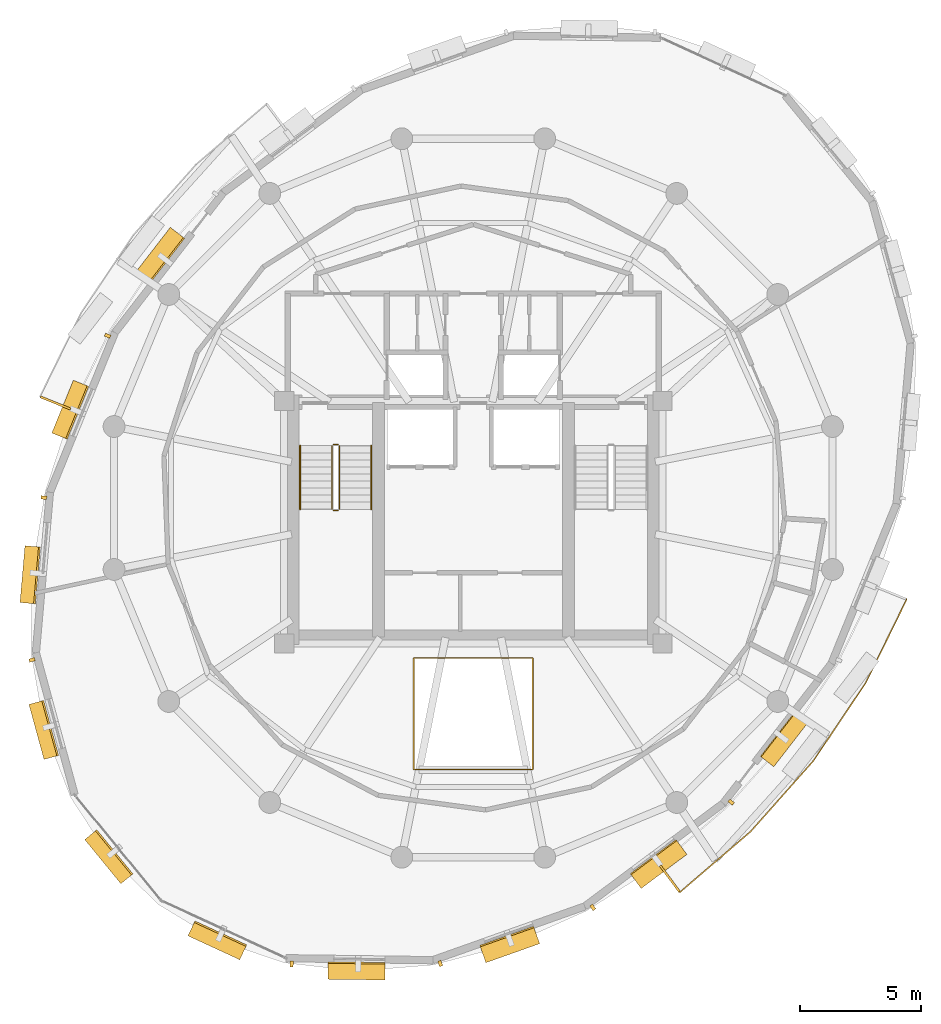
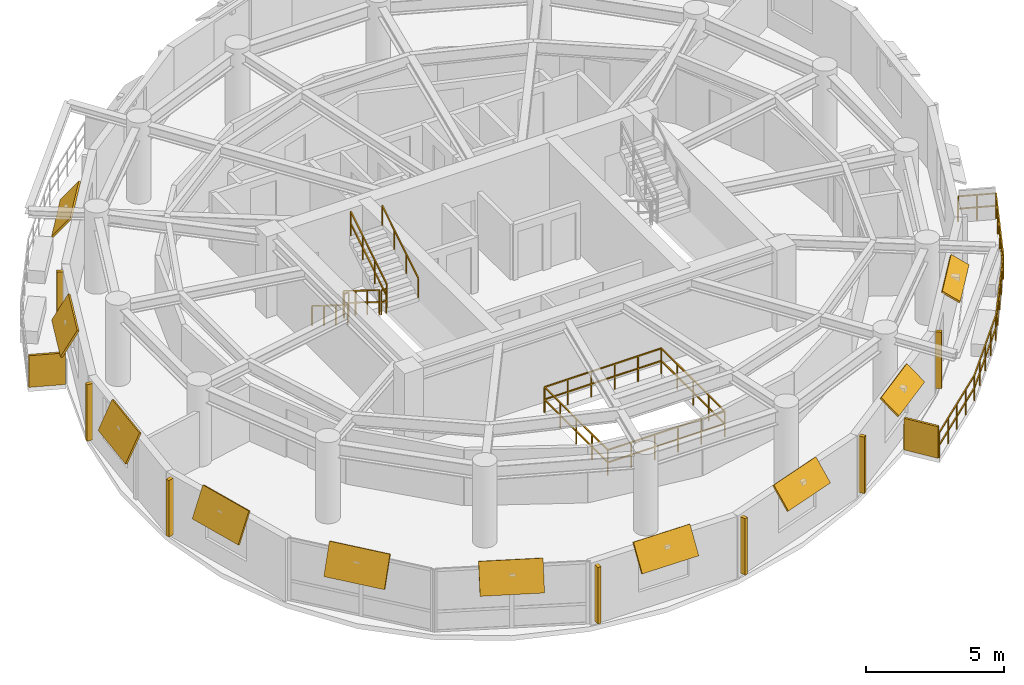
# One storey, part 10 of 11: 19 shading devices, 8 railings.
"""IFC4 building model written with IfcOpenShell, lengths in metres."""

from ifc_helpers import new_model, si_unit, direction, frame, origin, origin_2d, place, context, subcontext, project, spatial, rectangle, extrude, material, layer, layer_set, type_object, element, save


model = new_model("IFC4")

# Units and contexts
model_context = context("Model", 3, precision=1e-05, world=origin(), true_north=direction((0.0, 1.0)))
body_context = subcontext(model_context, "Body", "Model", "MODEL_VIEW")
ifc_project = project(units=[si_unit("LENGTHUNIT", "METRE"), si_unit("AREAUNIT", "SQUARE_METRE"), si_unit("VOLUMEUNIT", "CUBIC_METRE"), si_unit("PLANEANGLEUNIT", "RADIAN"), si_unit("MASSUNIT", "GRAM", prefix="KILO"), si_unit("THERMODYNAMICTEMPERATUREUNIT", "KELVIN"), si_unit("POWERUNIT", "WATT")], contexts=[model_context])

# Site, building, storey
site_placement = place(None, origin())
site = spatial("IfcSite", under=ifc_project, at=site_placement, CompositionType="ELEMENT")
building_placement = place(site_placement, origin())
building = spatial("IfcBuilding", under=site, at=building_placement, Name="Ocrelia Relay Tower", CompositionType="ELEMENT")
storey_placement = place(building_placement, frame((0.0, 0.0, 248.39990234375)))
storey = spatial("IfcBuildingStorey", under=building, at=storey_placement, Name="L61", CompositionType="ELEMENT", Elevation=248.39990234375)

# Railings
ifc_material_1 = material(Name="Steel S355 balustrade", Category="steel")
railing_type_1 = type_object("IfcRailingType", Name="RL-EXT-GUARD-1150", PredefinedType="GUARDRAIL", material=ifc_material_1)
railing_1_placement = place(storey_placement, frame((50.577880859375, 22.344482421875, 0.0)))
element("IfcRailing", 1, at=railing_1_placement, inside=storey, type_object=railing_type_1, Name="L61 Loggia Balcony Guard Rail B2", PredefinedType="GUARDRAIL", context=body_context, shape_type="SweptSolid", body=[
    extrude(rectangle(XDim=0.048095703125, YDim=0.048095703125, at=origin_2d()), frame((0.0, 0.0, 1.1259765625), z_axis=(0.926775533651, -0.375615641616, 0.0), x_axis=(0.375615641616, 0.926775533651, 0.0)), (0.0, 0.0, 1.0), 1.3935546875),
    extrude(rectangle(XDim=0.048095703125, YDim=0.048095703125, at=origin_2d()), frame((0.0, 0.0, 0.574951171875), z_axis=(0.926775533651, -0.375615641616, 0.0), x_axis=(0.375615641616, 0.926775533651, 0.0)), (0.0, 0.0, 1.0), 1.3935546875),
    extrude(rectangle(XDim=0.048095703125, YDim=0.048095703125, at=origin_2d()), frame((1.29150390625, -0.5234375, 1.1259765625), z_axis=(-0.440030621833, -0.897982768125, 0.0), x_axis=(0.897982768125, -0.440030621833, 0.0)), (0.0, 0.0, 1.0), 1.9208984375),
    extrude(rectangle(XDim=0.048095703125, YDim=0.048095703125, at=origin_2d()), frame((1.29150390625, -0.5234375, 0.574951171875), z_axis=(-0.440030621833, -0.897982768125, 0.0), x_axis=(0.897982768125, -0.440030621833, 0.0)), (0.0, 0.0, 1.0), 1.9208984375),
    extrude(rectangle(XDim=0.048095703125, YDim=0.048095703125, at=origin_2d()), frame((0.4462890625, -2.248291015625, 1.1259765625), z_axis=(-0.440183340271, -0.897907916742, 0.0), x_axis=(0.897907916742, -0.440183340271, 0.0)), (0.0, 0.0, 1.0), 1.920654296875),
    extrude(rectangle(XDim=0.048095703125, YDim=0.048095703125, at=origin_2d()), frame((0.4462890625, -2.248291015625, 0.574951171875), z_axis=(-0.440183340271, -0.897907916742, 0.0), x_axis=(0.897907916742, -0.440183340271, 0.0)), (0.0, 0.0, 1.0), 1.920654296875),
    extrude(rectangle(XDim=0.048095703125, YDim=0.048095703125, at=origin_2d()), frame((-0.399169921875, -3.972900390625, 1.1259765625), z_axis=(-0.557787743584, -0.829983634241, 0.0), x_axis=(0.829983634241, -0.557787743584, 0.0)), (0.0, 0.0, 1.0), 3.8818359375),
    extrude(rectangle(XDim=0.048095703125, YDim=0.048095703125, at=origin_2d()), frame((-0.399169921875, -3.972900390625, 0.574951171875), z_axis=(-0.557787743584, -0.829983634241, 0.0), x_axis=(0.829983634241, -0.557787743584, 0.0)), (0.0, 0.0, 1.0), 3.8818359375),
    extrude(rectangle(XDim=0.048095703125, YDim=0.048095703125, at=origin_2d()), frame((-2.564453125, -7.19482421875, 1.1259765625), z_axis=(-0.663879654023, -0.747839424592, 0.0), x_axis=(0.747839424592, -0.663879654023, 0.0)), (0.0, 0.0, 1.0), 3.8818359375),
    extrude(rectangle(XDim=0.048095703125, YDim=0.048095703125, at=origin_2d()), frame((-2.564453125, -7.19482421875, 0.574951171875), z_axis=(-0.663879654023, -0.747839424592, 0.0), x_axis=(0.747839424592, -0.663879654023, 0.0)), (0.0, 0.0, 1.0), 3.8818359375),
    extrude(rectangle(XDim=0.048095703125, YDim=0.048095703125, at=origin_2d()), frame((-5.1416015625, -10.097900390625, 1.1259765625), z_axis=(-0.759121995333, -0.650948382133, 0.0), x_axis=(0.650948382133, -0.759121995333, 0.0)), (0.0, 0.0, 1.0), 1.920654296875),
    extrude(rectangle(XDim=0.048095703125, YDim=0.048095703125, at=origin_2d()), frame((-5.1416015625, -10.097900390625, 0.574951171875), z_axis=(-0.759121995333, -0.650948382133, 0.0), x_axis=(0.650948382133, -0.759121995333, 0.0)), (0.0, 0.0, 1.0), 1.920654296875),
    extrude(rectangle(XDim=0.048095703125, YDim=0.048095703125, at=origin_2d()), frame((-6.599609375, -11.34814453125, 1.1259765625), z_axis=(-0.759175849836, -0.650885572913, 0.0), x_axis=(0.650885572913, -0.759175849836, 0.0)), (0.0, 0.0, 1.0), 1.9208984375),
    extrude(rectangle(XDim=0.048095703125, YDim=0.048095703125, at=origin_2d()), frame((-6.599609375, -11.34814453125, 0.574951171875), z_axis=(-0.759175849836, -0.650885572913, 0.0), x_axis=(0.650885572913, -0.759175849836, 0.0)), (0.0, 0.0, 1.0), 1.9208984375),
    extrude(rectangle(XDim=0.048095703125, YDim=0.048095703125, at=origin_2d()), frame((-8.057861328125, -12.598388671875, 1.1259765625), z_axis=(-0.59584327914, 0.803100732601, 0.0), x_axis=(-0.803100732601, -0.59584327914, 0.0)), (0.0, 0.0, 1.0), 1.3935546875),
    extrude(rectangle(XDim=0.048095703125, YDim=0.048095703125, at=origin_2d()), frame((-8.057861328125, -12.598388671875, 0.574951171875), z_axis=(-0.59584327914, 0.803100732601, 0.0), x_axis=(-0.803100732601, -0.59584327914, 0.0)), (0.0, 0.0, 1.0), 1.3935546875),
    extrude(rectangle(XDim=0.0419921875, YDim=0.0419921875, at=origin_2d()), origin(), (0.0, 0.0, 1.0), 1.101806640625),
    extrude(rectangle(XDim=0.0419921875, YDim=0.0419921875, at=origin_2d()), frame((0.645751953125, -0.26171875, 0.0)), (0.0, 0.0, 1.0), 1.101806640625),
    extrude(rectangle(XDim=0.0419921875, YDim=0.0419921875, at=origin_2d()), frame((1.29150390625, -0.5234375, 0.0)), (0.0, 0.0, 1.0), 1.101806640625),
    extrude(rectangle(XDim=0.0419921875, YDim=0.0419921875, at=origin_2d()), frame((0.868896484375, -1.3857421875, 0.0)), (0.0, 0.0, 1.0), 1.101806640625),
    extrude(rectangle(XDim=0.0419921875, YDim=0.0419921875, at=origin_2d()), frame((0.4462890625, -2.248291015625, 0.0)), (0.0, 0.0, 1.0), 1.101806640625),
    extrude(rectangle(XDim=0.0419921875, YDim=0.0419921875, at=origin_2d()), frame((0.0234375, -3.110595703125, 0.0)), (0.0, 0.0, 1.0), 1.101806640625),
    extrude(rectangle(XDim=0.0419921875, YDim=0.0419921875, at=origin_2d()), frame((-0.399169921875, -3.972900390625, 0.0)), (0.0, 0.0, 1.0), 1.101806640625),
    extrude(rectangle(XDim=0.0419921875, YDim=0.0419921875, at=origin_2d()), frame((-0.9404296875, -4.7783203125, 0.0)), (0.0, 0.0, 1.0), 1.101806640625),
    extrude(rectangle(XDim=0.0419921875, YDim=0.0419921875, at=origin_2d()), frame((-1.48193359375, -5.583984375, 0.0)), (0.0, 0.0, 1.0), 1.101806640625),
    extrude(rectangle(XDim=0.0419921875, YDim=0.0419921875, at=origin_2d()), frame((-2.023193359375, -6.389404296875, 0.0)), (0.0, 0.0, 1.0), 1.101806640625),
    extrude(rectangle(XDim=0.0419921875, YDim=0.0419921875, at=origin_2d()), frame((-2.564453125, -7.19482421875, 0.0)), (0.0, 0.0, 1.0), 1.101806640625),
    extrude(rectangle(XDim=0.0419921875, YDim=0.0419921875, at=origin_2d()), frame((-3.208740234375, -7.920654296875, 0.0)), (0.0, 0.0, 1.0), 1.101806640625),
    extrude(rectangle(XDim=0.0419921875, YDim=0.0419921875, at=origin_2d()), frame((-3.85302734375, -8.646484375, 0.0)), (0.0, 0.0, 1.0), 1.101806640625),
    extrude(rectangle(XDim=0.0419921875, YDim=0.0419921875, at=origin_2d()), frame((-4.497314453125, -9.3720703125, 0.0)), (0.0, 0.0, 1.0), 1.101806640625),
    extrude(rectangle(XDim=0.0419921875, YDim=0.0419921875, at=origin_2d()), frame((-5.1416015625, -10.097900390625, 0.0)), (0.0, 0.0, 1.0), 1.101806640625),
    extrude(rectangle(XDim=0.0419921875, YDim=0.0419921875, at=origin_2d()), frame((-5.87060546875, -10.72314453125, 0.0)), (0.0, 0.0, 1.0), 1.101806640625),
    extrude(rectangle(XDim=0.0419921875, YDim=0.0419921875, at=origin_2d()), frame((-6.599609375, -11.34814453125, 0.0)), (0.0, 0.0, 1.0), 1.101806640625),
    extrude(rectangle(XDim=0.0419921875, YDim=0.0419921875, at=origin_2d()), frame((-7.32861328125, -11.97314453125, 0.0)), (0.0, 0.0, 1.0), 1.101806640625),
    extrude(rectangle(XDim=0.0419921875, YDim=0.0419921875, at=origin_2d()), frame((-8.057861328125, -12.598388671875, 0.0)), (0.0, 0.0, 1.0), 1.101806640625),
    extrude(rectangle(XDim=0.0419921875, YDim=0.0419921875, at=origin_2d()), frame((-8.47314453125, -12.038818359375, 0.0)), (0.0, 0.0, 1.0), 1.101806640625),
    extrude(rectangle(XDim=0.0419921875, YDim=0.0419921875, at=origin_2d()), frame((-8.88818359375, -11.479248046875, 0.0)), (0.0, 0.0, 1.0), 1.101806640625),
])
ifc_material_2 = material(Name="Steel S355 atrium balustrade", Category="steel")
railing_type_2 = type_object("IfcRailingType", Name="RL-INT-GUARD-115", PredefinedType="GUARDRAIL", material=ifc_material_2)
railing_2_placement = place(storey_placement, frame((31.550048828125, 14.800048828125, 0.0)))
element("IfcRailing", 2, at=railing_2_placement, inside=storey, type_object=railing_type_2, Name="L61 Multi-Zone Interior Atrium Guard", PredefinedType="GUARDRAIL", context=body_context, shape_type="SweptSolid", body=[
    extrude(rectangle(XDim=0.048095703125, YDim=0.048095703125, at=origin_2d()), frame((0.0, 0.0, 1.1259765625), z_axis=(1.0, 0.0, 0.0), x_axis=(0.0, 1.0, 0.0)), (0.0, 0.0, 1.0), 4.89990234375),
    extrude(rectangle(XDim=0.048095703125, YDim=0.048095703125, at=origin_2d()), frame((0.0, 0.0, 0.574951171875), z_axis=(1.0, 0.0, 0.0), x_axis=(0.0, 1.0, 0.0)), (0.0, 0.0, 1.0), 4.89990234375),
    extrude(rectangle(XDim=0.048095703125, YDim=0.048095703125, at=origin_2d()), frame((4.89990234375, 0.0, 1.1259765625), z_axis=(0.0, 1.0, 0.0), x_axis=(-1.0, 0.0, 0.0)), (0.0, 0.0, 1.0), 4.599853515625),
    extrude(rectangle(XDim=0.048095703125, YDim=0.048095703125, at=origin_2d()), frame((4.89990234375, 0.0, 0.574951171875), z_axis=(0.0, 1.0, 0.0), x_axis=(-1.0, 0.0, 0.0)), (0.0, 0.0, 1.0), 4.599853515625),
    extrude(rectangle(XDim=0.048095703125, YDim=0.048095703125, at=origin_2d()), frame((4.89990234375, 4.599853515625, 1.1259765625), z_axis=(-1.0, 0.0, 0.0), x_axis=(0.0, -1.0, 0.0)), (0.0, 0.0, 1.0), 4.89990234375),
    extrude(rectangle(XDim=0.048095703125, YDim=0.048095703125, at=origin_2d()), frame((4.89990234375, 4.599853515625, 0.574951171875), z_axis=(-1.0, 0.0, 0.0), x_axis=(0.0, -1.0, 0.0)), (0.0, 0.0, 1.0), 4.89990234375),
    extrude(rectangle(XDim=0.048095703125, YDim=0.048095703125, at=origin_2d()), frame((0.0, 4.599853515625, 1.1259765625), z_axis=(0.0, -1.0, 0.0), x_axis=(1.0, 0.0, 0.0)), (0.0, 0.0, 1.0), 4.599853515625),
    extrude(rectangle(XDim=0.048095703125, YDim=0.048095703125, at=origin_2d()), frame((0.0, 4.599853515625, 0.574951171875), z_axis=(0.0, -1.0, 0.0), x_axis=(1.0, 0.0, 0.0)), (0.0, 0.0, 1.0), 4.599853515625),
    extrude(rectangle(XDim=0.0419921875, YDim=0.0419921875, at=origin_2d()), origin(), (0.0, 0.0, 1.0), 1.101806640625),
    extrude(rectangle(XDim=0.0419921875, YDim=0.0419921875, at=origin_2d()), frame((0.97998046875, 0.0, 0.0)), (0.0, 0.0, 1.0), 1.101806640625),
    extrude(rectangle(XDim=0.0419921875, YDim=0.0419921875, at=origin_2d()), frame((1.9599609375, 0.0, 0.0)), (0.0, 0.0, 1.0), 1.101806640625),
    extrude(rectangle(XDim=0.0419921875, YDim=0.0419921875, at=origin_2d()), frame((2.93994140625, 0.0, 0.0)), (0.0, 0.0, 1.0), 1.101806640625),
    extrude(rectangle(XDim=0.0419921875, YDim=0.0419921875, at=origin_2d()), frame((3.919921875, 0.0, 0.0)), (0.0, 0.0, 1.0), 1.101806640625),
    extrude(rectangle(XDim=0.0419921875, YDim=0.0419921875, at=origin_2d()), frame((4.89990234375, 0.0, 0.0)), (0.0, 0.0, 1.0), 1.101806640625),
    extrude(rectangle(XDim=0.0419921875, YDim=0.0419921875, at=origin_2d()), frame((4.89990234375, 1.14990234375, 0.0)), (0.0, 0.0, 1.0), 1.101806640625),
    extrude(rectangle(XDim=0.0419921875, YDim=0.0419921875, at=origin_2d()), frame((4.89990234375, 2.2998046875, 0.0)), (0.0, 0.0, 1.0), 1.101806640625),
    extrude(rectangle(XDim=0.0419921875, YDim=0.0419921875, at=origin_2d()), frame((4.89990234375, 3.449951171875, 0.0)), (0.0, 0.0, 1.0), 1.101806640625),
    extrude(rectangle(XDim=0.0419921875, YDim=0.0419921875, at=origin_2d()), frame((4.89990234375, 4.599853515625, 0.0)), (0.0, 0.0, 1.0), 1.101806640625),
    extrude(rectangle(XDim=0.0419921875, YDim=0.0419921875, at=origin_2d()), frame((3.919921875, 4.599853515625, 0.0)), (0.0, 0.0, 1.0), 1.101806640625),
    extrude(rectangle(XDim=0.0419921875, YDim=0.0419921875, at=origin_2d()), frame((2.93994140625, 4.599853515625, 0.0)), (0.0, 0.0, 1.0), 1.101806640625),
    extrude(rectangle(XDim=0.0419921875, YDim=0.0419921875, at=origin_2d()), frame((1.9599609375, 4.599853515625, 0.0)), (0.0, 0.0, 1.0), 1.101806640625),
    extrude(rectangle(XDim=0.0419921875, YDim=0.0419921875, at=origin_2d()), frame((0.97998046875, 4.599853515625, 0.0)), (0.0, 0.0, 1.0), 1.101806640625),
    extrude(rectangle(XDim=0.0419921875, YDim=0.0419921875, at=origin_2d()), frame((0.0, 4.599853515625, 0.0)), (0.0, 0.0, 1.0), 1.101806640625),
    extrude(rectangle(XDim=0.0419921875, YDim=0.0419921875, at=origin_2d()), frame((0.0, 3.449951171875, 0.0)), (0.0, 0.0, 1.0), 1.101806640625),
    extrude(rectangle(XDim=0.0419921875, YDim=0.0419921875, at=origin_2d()), frame((0.0, 2.2998046875, 0.0)), (0.0, 0.0, 1.0), 1.101806640625),
    extrude(rectangle(XDim=0.0419921875, YDim=0.0419921875, at=origin_2d()), frame((0.0, 1.14990234375, 0.0)), (0.0, 0.0, 1.0), 1.101806640625),
])
railing_type_3 = type_object("IfcRailingType", Name="RL-STAIR-GUARD", PredefinedType="GUARDRAIL", material=ifc_material_1)
railing_3_placement = place(storey_placement, frame((28.179931640625, 28.14990234375, 0.18017578125)))
element("IfcRailing", 3, at=railing_3_placement, inside=storey, type_object=railing_type_3, Name="L61 ST1 stair guard 1", PredefinedType="GUARDRAIL", context=body_context, shape_type="SweptSolid", body=[
    extrude(rectangle(XDim=0.048095703125, YDim=0.048095703125, at=origin_2d()), frame((0.0, 0.0, 1.076171875), z_axis=(0.0, -0.849646306263, 0.527352969322), x_axis=(1.0, 0.0, 0.0)), (0.0, 0.0, 1.0), 3.07177734375),
    extrude(rectangle(XDim=0.048095703125, YDim=0.048095703125, at=origin_2d()), frame((0.0, 0.0, 0.550048828125), z_axis=(0.0, -0.849646306263, 0.527352969322), x_axis=(1.0, 0.0, 0.0)), (0.0, 0.0, 1.0), 3.07177734375),
    extrude(rectangle(XDim=0.0419921875, YDim=0.0419921875, at=origin_2d()), origin(), (0.0, 0.0, 1.0), 1.052001953125),
    extrude(rectangle(XDim=0.0419921875, YDim=0.0419921875, at=origin_2d()), frame((0.0, -0.869873046875, 0.5400390625)), (0.0, 0.0, 1.0), 1.052001953125),
    extrude(rectangle(XDim=0.0419921875, YDim=0.0419921875, at=origin_2d()), frame((0.0, -1.739990234375, 1.079833984375)), (0.0, 0.0, 1.0), 1.052001953125),
    extrude(rectangle(XDim=0.0419921875, YDim=0.0419921875, at=origin_2d()), frame((0.0, -2.60986328125, 1.619873046875)), (0.0, 0.0, 1.0), 1.052001953125),
])
railing_4_placement = place(storey_placement, frame((28.22998046875, 25.489990234375, 1.800048828125)))
element("IfcRailing", 4, at=railing_4_placement, inside=storey, type_object=railing_type_3, Name="L61 ST1 stair guard 2", PredefinedType="GUARDRAIL", context=body_context, shape_type="SweptSolid", body=[
    extrude(rectangle(XDim=0.048095703125, YDim=0.048095703125, at=origin_2d()), frame((0.0, 0.0, 1.076171875), z_axis=(1.0, 0.0, 0.0), x_axis=(0.0, 1.0, 0.0)), (0.0, 0.0, 1.0), 0.199951171875),
    extrude(rectangle(XDim=0.048095703125, YDim=0.048095703125, at=origin_2d()), frame((0.0, 0.0, 0.550048828125), z_axis=(1.0, 0.0, 0.0), x_axis=(0.0, 1.0, 0.0)), (0.0, 0.0, 1.0), 0.199951171875),
    extrude(rectangle(XDim=0.0419921875, YDim=0.0419921875, at=origin_2d()), origin(), (0.0, 0.0, 1.0), 1.052001953125),
    extrude(rectangle(XDim=0.0419921875, YDim=0.0419921875, at=origin_2d()), frame((0.199951171875, 0.0, 0.0)), (0.0, 0.0, 1.0), 1.052001953125),
])
railing_5_placement = place(storey_placement, frame((28.47998046875, 25.5400390625, 1.97998046875)))
element("IfcRailing", 5, at=railing_5_placement, inside=storey, type_object=railing_type_3, Name="L61 ST1 stair guard 3", PredefinedType="GUARDRAIL", context=body_context, shape_type="SweptSolid", body=[
    extrude(rectangle(XDim=0.048095703125, YDim=0.048095703125, at=origin_2d()), frame((0.0, 0.0, 1.076171875), z_axis=(0.0, 0.849610693518, 0.52741034258), x_axis=(-1.0, 0.0, 0.0)), (0.0, 0.0, 1.0), 3.07177734375),
    extrude(rectangle(XDim=0.048095703125, YDim=0.048095703125, at=origin_2d()), frame((0.0, 0.0, 0.550048828125), z_axis=(0.0, 0.849610693518, 0.52741034258), x_axis=(-1.0, 0.0, 0.0)), (0.0, 0.0, 1.0), 3.07177734375),
    extrude(rectangle(XDim=0.0419921875, YDim=0.0419921875, at=origin_2d()), origin(), (0.0, 0.0, 1.0), 1.052001953125),
    extrude(rectangle(XDim=0.0419921875, YDim=0.0419921875, at=origin_2d()), frame((0.0, 0.869873046875, 0.5400390625)), (0.0, 0.0, 1.0), 1.052001953125),
    extrude(rectangle(XDim=0.0419921875, YDim=0.0419921875, at=origin_2d()), frame((0.0, 1.739990234375, 1.080078125)), (0.0, 0.0, 1.0), 1.052001953125),
    extrude(rectangle(XDim=0.0419921875, YDim=0.0419921875, at=origin_2d()), frame((0.0, 2.60986328125, 1.6201171875)), (0.0, 0.0, 1.0), 1.052001953125),
])
railing_6_placement = place(storey_placement, frame((28.22998046875, 28.199951171875, 0.0)))
element("IfcRailing", 6, at=railing_6_placement, inside=storey, type_object=railing_type_3, Name="L61 ST1 stair guard 4", PredefinedType="GUARDRAIL", context=body_context, shape_type="SweptSolid", body=[
    extrude(rectangle(XDim=0.048095703125, YDim=0.048095703125, at=origin_2d()), frame((0.0, 0.0, 1.076171875), z_axis=(1.0, 0.0, 0.0), x_axis=(0.0, 1.0, 0.0)), (0.0, 0.0, 1.0), 0.199951171875),
    extrude(rectangle(XDim=0.048095703125, YDim=0.048095703125, at=origin_2d()), frame((0.0, 0.0, 0.550048828125), z_axis=(1.0, 0.0, 0.0), x_axis=(0.0, 1.0, 0.0)), (0.0, 0.0, 1.0), 0.199951171875),
    extrude(rectangle(XDim=0.0419921875, YDim=0.0419921875, at=origin_2d()), origin(), (0.0, 0.0, 1.0), 1.052001953125),
    extrude(rectangle(XDim=0.0419921875, YDim=0.0419921875, at=origin_2d()), frame((0.199951171875, 0.0, 0.0)), (0.0, 0.0, 1.0), 1.052001953125),
])
ifc_material_3 = material(Name="Steel S355 tubular handrail", Category="steel")
railing_type_4 = type_object("IfcRailingType", Name="RL-STAIR-HAND", PredefinedType="HANDRAIL", material=ifc_material_3)
railing_7_placement = place(storey_placement, frame((26.860107421875, 28.14990234375, 0.18017578125)))
element("IfcRailing", 7, at=railing_7_placement, inside=storey, type_object=railing_type_4, Name="L61 ST1 stair handrail 1", PredefinedType="HANDRAIL", context=body_context, shape_type="SweptSolid", body=[
    extrude(rectangle(XDim=0.048095703125, YDim=0.048095703125, at=origin_2d()), frame((0.0, 0.0, 0.8759765625), z_axis=(0.0, -0.849646306263, 0.527352969322), x_axis=(1.0, 0.0, 0.0)), (0.0, 0.0, 1.0), 3.07177734375),
    extrude(rectangle(XDim=0.0419921875, YDim=0.0419921875, at=origin_2d()), origin(), (0.0, 0.0, 1.0), 0.851806640625),
    extrude(rectangle(XDim=0.0419921875, YDim=0.0419921875, at=origin_2d()), frame((0.0, -0.869873046875, 0.5400390625)), (0.0, 0.0, 1.0), 0.851806640625),
    extrude(rectangle(XDim=0.0419921875, YDim=0.0419921875, at=origin_2d()), frame((0.0, -1.739990234375, 1.079833984375)), (0.0, 0.0, 1.0), 0.851806640625),
    extrude(rectangle(XDim=0.0419921875, YDim=0.0419921875, at=origin_2d()), frame((0.0, -2.60986328125, 1.619873046875)), (0.0, 0.0, 1.0), 0.851806640625),
])
railing_8_placement = place(storey_placement, frame((29.800048828125, 25.5400390625, 1.97998046875)))
element("IfcRailing", 8, at=railing_8_placement, inside=storey, type_object=railing_type_4, Name="L61 ST1 stair handrail 2", PredefinedType="HANDRAIL", context=body_context, shape_type="SweptSolid", body=[
    extrude(rectangle(XDim=0.048095703125, YDim=0.048095703125, at=origin_2d()), frame((0.0, 0.0, 0.8759765625), z_axis=(0.0, 0.849610693518, 0.52741034258), x_axis=(-1.0, 0.0, 0.0)), (0.0, 0.0, 1.0), 3.07177734375),
    extrude(rectangle(XDim=0.0419921875, YDim=0.0419921875, at=origin_2d()), origin(), (0.0, 0.0, 1.0), 0.851806640625),
    extrude(rectangle(XDim=0.0419921875, YDim=0.0419921875, at=origin_2d()), frame((0.0, 0.869873046875, 0.5400390625)), (0.0, 0.0, 1.0), 0.851806640625),
    extrude(rectangle(XDim=0.0419921875, YDim=0.0419921875, at=origin_2d()), frame((0.0, 1.739990234375, 1.080078125)), (0.0, 0.0, 1.0), 0.851806640625),
    extrude(rectangle(XDim=0.0419921875, YDim=0.0419921875, at=origin_2d()), frame((0.0, 2.60986328125, 1.6201171875)), (0.0, 0.0, 1.0), 0.851806640625),
])

# Shading devices
ifc_material_4 = material(Name="Perforated oxide terracotta solar screen", Category="masonry")
ifc_layer_1 = layer(ifc_material_4, 0.090087890625, Name="Perforated oxide terracotta solar screen")
ifc_layer_set_1 = layer_set([ifc_layer_1], Name="Perforated oxide terracotta solar screen")
shading_device_type_1 = type_object("IfcShadingDeviceType", Name="SH-BALC-SCREEN", PredefinedType="USERDEFINED", material=ifc_layer_set_1)
for number, where, z_axis, x_axis, name in (
    (9, (16.7763671875, 29.917236328125, 0.000244140625), (0.0, 0.0, 1.0), (-0.926749397566, 0.375680122059, 0.0), "L61 Balcony Perforated Terracotta Screen B1-2"),
    (10, (42.10498046875, 10.3056640625, 0.000244140625), (0.0, 0.0, 1.0), (0.595800636569, -0.803132368582, 0.0), "L61 Balcony Perforated Terracotta Screen B2-1"),
):
    element("IfcShadingDevice", number, at=place(storey_placement, frame(where, z_axis=z_axis, x_axis=x_axis)), inside=storey, type_object=shading_device_type_1, Name=name, ObjectType="SCREEN", PredefinedType="USERDEFINED", context=body_context, shape_type="SweptSolid", body=[
        extrude(rectangle(XDim=1.340087890625, YDim=0.090087890625, at=origin_2d()), origin(), (0.0, 0.0, 1.0), 1.39990234375),
    ])
ifc_material_5 = material(Name="Extruded oxide terracotta vertical baguette", Category="masonry")
shading_device_type_2 = type_object("IfcShadingDeviceType", Name="SH-TERR-BAGUETTE", PredefinedType="USERDEFINED", material=ifc_material_5)
for number, where, z_axis, x_axis, name in (
    (11, (18.92724609375, 32.68798828125, 0.130126953125), (0.0, 0.0, 1.0), (-0.377177240106, -0.926141095917, 0.0), "L61 Oxide Terracotta Vertical Baguette 06"),
    (12, (16.297119140625, 26.014892578125, 0.130126953125), (0.0, 0.0, 1.0), (-0.087097298209, -0.996199809599, 0.0), "L61 Oxide Terracotta Vertical Baguette 07"),
    (13, (15.809814453125, 19.323974609375, 0.130126953125), (0.0, 0.0, 1.0), (0.263335154155, -0.964704408918, 0.0), "L61 Oxide Terracotta Vertical Baguette 08"),
    (14, (26.509521484375, 6.79248046875, 0.130126953125), (0.0, 0.0, 1.0), (0.999910282384, -0.013395043205, 0.0), "L61 Oxide Terracotta Vertical Baguette 11"),
    (15, (32.63720703125, 6.807861328125, 0.130126953125), (0.0, 0.0, 1.0), (0.942663340426, 0.333745152199, 0.0), "L61 Oxide Terracotta Vertical Baguette 12"),
    (16, (38.92626953125, 9.120361328125, 0.130126953125), (0.0, 0.0, 1.0), (0.8022089569, 0.597043373189, 0.0), "L61 Oxide Terracotta Vertical Baguette 13"),
    (17, (44.633056640625, 13.458740234375, 0.130126953125), (0.0, 0.0, 1.0), (0.612212461871, 0.790693304341, 0.0), "L61 Oxide Terracotta Vertical Baguette 14"),
):
    element("IfcShadingDevice", number, at=place(storey_placement, frame(where, z_axis=z_axis, x_axis=x_axis)), inside=storey, type_object=shading_device_type_2, Name=name, ObjectType="BAGUETTE", PredefinedType="USERDEFINED", context=body_context, shape_type="SweptSolid", body=[
        extrude(rectangle(XDim=0.139892578125, YDim=0.239990234375, at=origin_2d()), origin(), (0.0, 0.0, 1.0), 2.5),
    ])
ifc_material_6 = material(Name="Extruded oxide terracotta fin", Category="masonry")
ifc_layer_2 = layer(ifc_material_6, 0.080078125, Name="Extruded oxide terracotta fin")
ifc_layer_set_2 = layer_set([ifc_layer_2], Name="Extruded oxide terracotta fin")
shading_device_type_3 = type_object("IfcShadingDeviceType", Name="SH-VISOR-FIN-DEEP", PredefinedType="USERDEFINED", material=ifc_layer_set_2)
shading_device_1_placement = place(storey_placement, frame((17.418212890625, 29.625732421875, 2.580810546875), z_axis=(-0.810647389506, 0.330141645178, 0.483587948575), x_axis=(-0.377177240106, -0.926141095917, 0.0)))
element("IfcShadingDevice", 18, at=shading_device_1_placement, inside=storey, type_object=shading_device_type_3, Name="L61 Canted Terracotta Sun-Visor Fin 06", ObjectType="FIN", PredefinedType="USERDEFINED", context=body_context, shape_type="SweptSolid", body=[
    extrude(rectangle(XDim=2.35009765625, YDim=1.26806640625, at=origin_2d()), origin(), (0.0, 0.0, 1.0), 0.080078125),
])
shading_device_2_placement = place(storey_placement, frame((15.767822265625, 22.83056640625, 2.583251953125), z_axis=(-0.904035810942, 0.079039441544, 0.420085728412), x_axis=(-0.087097298209, -0.996199809599, 0.0)))
element("IfcShadingDevice", 19, at=shading_device_2_placement, inside=storey, type_object=shading_device_type_3, Name="L61 Canted Terracotta Sun-Visor Fin 07", ObjectType="FIN", PredefinedType="USERDEFINED", context=body_context, shape_type="SweptSolid", body=[
    extrude(rectangle(XDim=2.35009765625, YDim=1.3359375, at=origin_2d()), origin(), (0.0, 0.0, 1.0), 0.080078125),
])
shading_device_3_placement = place(storey_placement, frame((16.32861328125, 16.446044921875, 2.583740234375), z_axis=(-0.881027182631, -0.240493799767, 0.407374318949), x_axis=(0.263335154155, -0.964704408918, 0.0)))
element("IfcShadingDevice", 20, at=shading_device_3_placement, inside=storey, type_object=shading_device_type_3, Name="L61 Canted Terracotta Sun-Visor Fin 08", ObjectType="FIN", PredefinedType="USERDEFINED", context=body_context, shape_type="SweptSolid", body=[
    extrude(rectangle(XDim=2.35009765625, YDim=1.34912109375, at=origin_2d()), origin(), (0.0, 0.0, 1.0), 0.080078125),
])
shading_device_4_placement = place(storey_placement, frame((19.00341796875, 11.23193359375, 2.5830078125), z_axis=(-0.699178984428, -0.572218340051, 0.428619783775), x_axis=(0.63334572525, -0.773868976189, 0.0)))
element("IfcShadingDevice", 21, at=shading_device_4_placement, inside=storey, type_object=shading_device_type_3, Name="L61 Canted Terracotta Sun-Visor Fin 09", ObjectType="FIN", PredefinedType="USERDEFINED", context=body_context, shape_type="SweptSolid", body=[
    extrude(rectangle(XDim=2.35009765625, YDim=1.326904296875, at=origin_2d()), origin(), (0.0, 0.0, 1.0), 0.080078125),
])
shading_device_5_placement = place(storey_placement, frame((23.463623046875, 7.79443359375, 2.5810546875), z_axis=(-0.36917931065, -0.799068038701, 0.474549160903), x_axis=(0.907795628133, -0.41941280088, 0.0)))
element("IfcShadingDevice", 22, at=shading_device_5_placement, inside=storey, type_object=shading_device_type_3, Name="L61 Canted Terracotta Sun-Visor Fin 10", ObjectType="FIN", PredefinedType="USERDEFINED", context=body_context, shape_type="SweptSolid", body=[
    extrude(rectangle(XDim=2.35009765625, YDim=1.278076171875, at=origin_2d()), origin(), (0.0, 0.0, 1.0), 0.080078125),
])
shading_device_6_placement = place(storey_placement, frame((29.184814453125, 6.537109375, 2.578369140625), z_axis=(-0.011241662123, -0.839165158, 0.543760482779), x_axis=(0.999910282384, -0.013395043205, 0.0)))
element("IfcShadingDevice", 23, at=shading_device_6_placement, inside=storey, type_object=shading_device_type_3, Name="L61 Canted Terracotta Sun-Visor Fin 11", ObjectType="FIN", PredefinedType="USERDEFINED", context=body_context, shape_type="SweptSolid", body=[
    extrude(rectangle(XDim=2.35009765625, YDim=1.200927734375, at=origin_2d()), origin(), (0.0, 0.0, 1.0), 0.080078125),
])
ifc_layer_3 = layer(ifc_material_6, 0.080078125, Name="Extruded oxide terracotta fin")
ifc_layer_set_3 = layer_set([ifc_layer_3], Name="Extruded oxide terracotta fin")
shading_device_type_4 = type_object("IfcShadingDeviceType", Name="SH-VISOR-FIN-MED", PredefinedType="USERDEFINED", material=ifc_layer_set_3)
shading_device_7_placement = place(storey_placement, frame((21.111328125, 35.9794921875, 2.575927734375), z_axis=(-0.6313926891, 0.488870299621, 0.601954402177), x_axis=(-0.612212461871, -0.790693304341, 0.0)))
element("IfcShadingDevice", 24, at=shading_device_7_placement, inside=storey, type_object=shading_device_type_4, Name="L61 Canted Terracotta Sun-Visor Fin 05", ObjectType="FIN", PredefinedType="USERDEFINED", context=body_context, shape_type="SweptSolid", body=[
    extrude(rectangle(XDim=2.35009765625, YDim=1.133056640625, at=origin_2d()), origin(), (0.0, 0.0, 1.0), 0.080078125),
])
shading_device_8_placement = place(storey_placement, frame((35.49267578125, 7.61865234375, 2.574462890625), z_axis=(0.256932140681, -0.725704953021, 0.638230519675), x_axis=(0.942663340426, 0.333745152199, 0.0)))
element("IfcShadingDevice", 25, at=shading_device_8_placement, inside=storey, type_object=shading_device_type_4, Name="L61 Canted Terracotta Sun-Visor Fin 12", ObjectType="FIN", PredefinedType="USERDEFINED", context=body_context, shape_type="SweptSolid", body=[
    extrude(rectangle(XDim=2.35009765625, YDim=1.089111328125, at=origin_2d()), origin(), (0.0, 0.0, 1.0), 0.080078125),
])
shading_device_9_placement = place(storey_placement, frame((41.625244140625, 10.929931640625, 2.570068359375), z_axis=(0.393422962066, -0.528617246572, 0.752184937064), x_axis=(0.8022089569, 0.597043373189, 0.0)))
element("IfcShadingDevice", 26, at=shading_device_9_placement, inside=storey, type_object=shading_device_type_4, Name="L61 Canted Terracotta Sun-Visor Fin 13", ObjectType="FIN", PredefinedType="USERDEFINED", context=body_context, shape_type="SweptSolid", body=[
    extrude(rectangle(XDim=2.35009765625, YDim=0.93701171875, at=origin_2d()), origin(), (0.0, 0.0, 1.0), 0.080078125),
])
ifc_layer_4 = layer(ifc_material_6, 0.080078125, Name="Extruded oxide terracotta fin")
ifc_layer_set_4 = layer_set([ifc_layer_4], Name="Extruded oxide terracotta fin")
shading_device_type_5 = type_object("IfcShadingDeviceType", Name="SH-VISOR-FIN-SHAL", PredefinedType="USERDEFINED", material=ifc_layer_set_4)
shading_device_10_placement = place(storey_placement, frame((46.816650390625, 16.076416015625, 2.565673828125), z_axis=(0.407355441924, -0.315404312377, 0.857077396545), x_axis=(0.612212461871, 0.790693304341, 0.0)))
element("IfcShadingDevice", 27, at=shading_device_10_placement, inside=storey, type_object=shading_device_type_5, Name="L61 Canted Terracotta Sun-Visor Fin 14", ObjectType="FIN", PredefinedType="USERDEFINED", context=body_context, shape_type="SweptSolid", body=[
    extrude(rectangle(XDim=2.35009765625, YDim=0.76708984375, at=origin_2d()), origin(), (0.0, 0.0, 1.0), 0.080078125),
])

save(model, "model.ifc")
